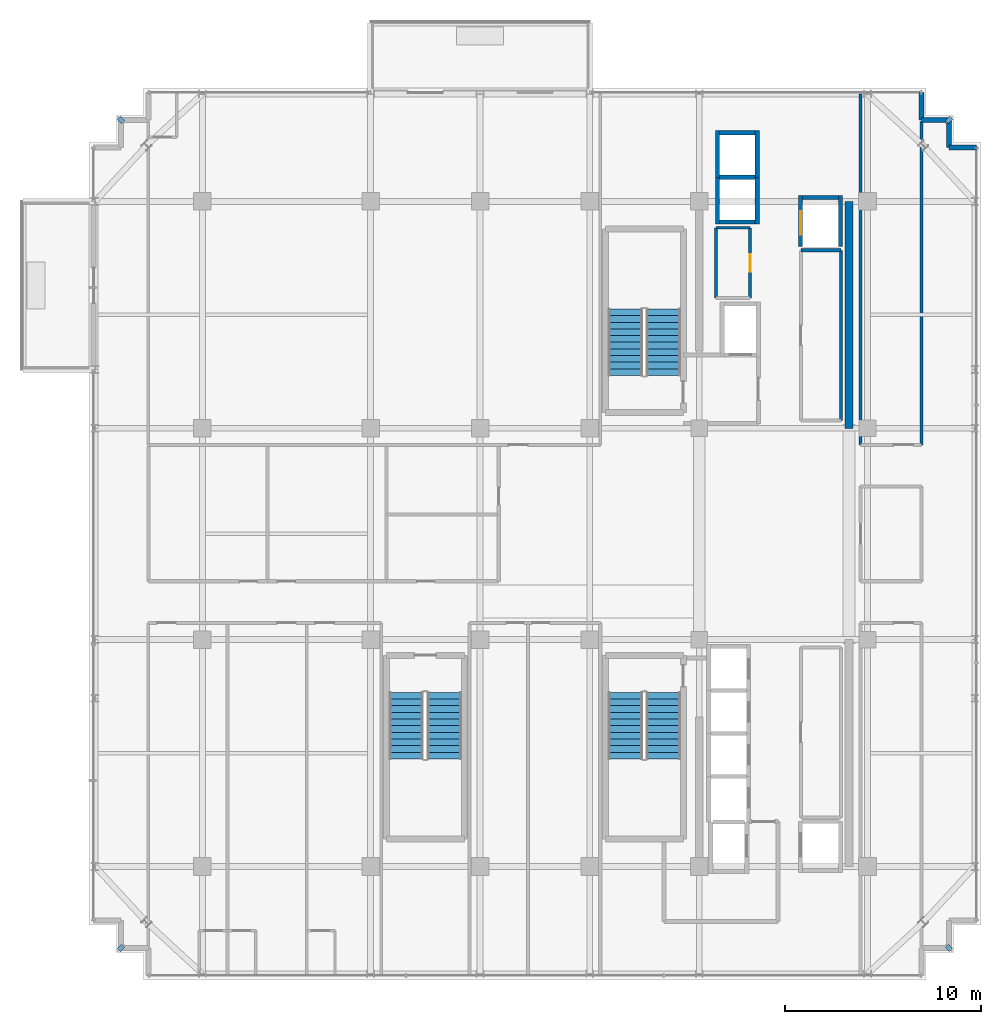
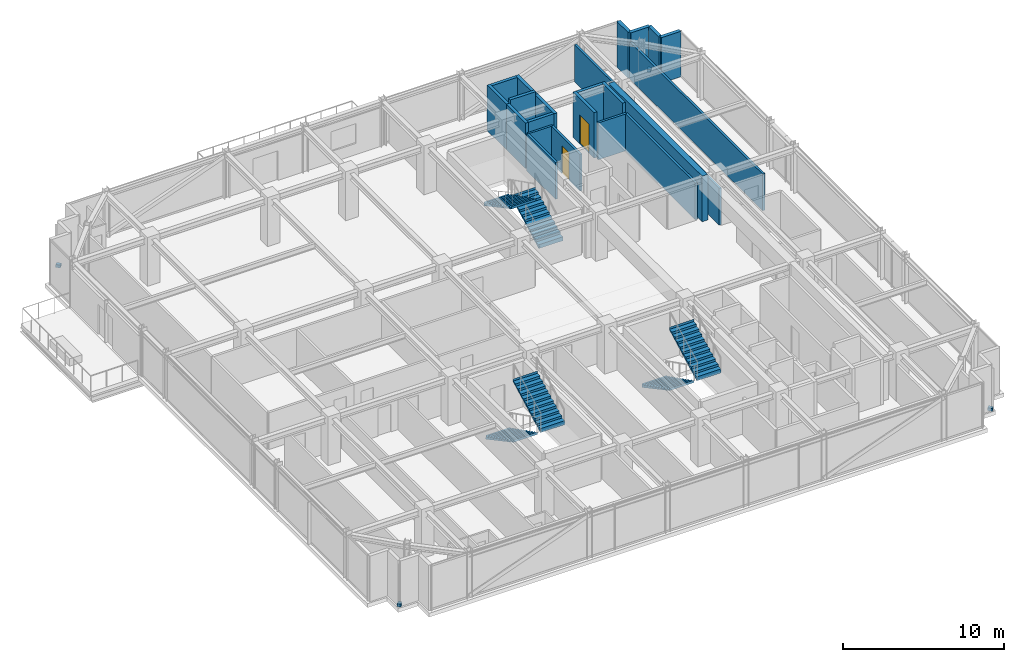
# One storey, part 33 of 36: 22 walls, 6 stair flights, 4 discrete accessories, 2 doors, 2 openings, 3 elements without a shape of their own.
"""IFC4 building model written with IfcOpenShell, lengths in metres."""

from ifc_helpers import new_model, si_unit, direction, frame, frame_2d, origin, origin_2d, place, context, subcontext, project, spatial, polyline, rectangle, outline, extrude, source, transform, mapped, material, layer, layer_set, type_object, element, fill, aggregate, save


model = new_model("IFC4")

# Units and contexts
model_context = context("Model", 3, precision=1e-05, world=origin(), true_north=direction((0.0, 1.0)))
body_context = subcontext(model_context, "Body", "Model", "MODEL_VIEW")
ifc_project = project(units=[si_unit("LENGTHUNIT", "METRE"), si_unit("AREAUNIT", "SQUARE_METRE"), si_unit("VOLUMEUNIT", "CUBIC_METRE"), si_unit("PLANEANGLEUNIT", "RADIAN"), si_unit("MASSUNIT", "GRAM", prefix="KILO")], contexts=[model_context])

# Site, building, storey
site_placement = place(None, origin())
site = spatial("IfcSite", under=ifc_project, at=site_placement, CompositionType="ELEMENT")
building_placement = place(site_placement, origin())
building = spatial("IfcBuilding", under=site, at=building_placement, Name="Nahalor Promenade Grand Hotel", CompositionType="ELEMENT")
storey_placement = place(building_placement, frame((0.0, 0.0, 273.800048828125)))
storey = spatial("IfcBuildingStorey", under=building, at=storey_placement, Name="L70", CompositionType="ELEMENT", Elevation=273.800048828125)

# Walls
ifc_material_1 = material(Name="Concrete B-50 (C40/50)", Category="concrete")
ifc_layer_1 = layer(ifc_material_1, 0.39990234375)
ifc_layer_set_1 = layer_set([ifc_layer_1], Name="Concrete B-50 (C40/50)")
wall_type_1 = type_object("IfcWallType", Name="Wall-CoreShear-400", PredefinedType="SHEAR", material=ifc_layer_set_1)
shared_shape_1 = source(origin(), body_context, "Body", "SweptSolid", [
    extrude(rectangle(XDim=11.60009765625, YDim=0.39990234375, at=frame_2d((5.800048828125, 0.0))), origin(), (0.0, 0.0, 1.0), 3.449951171875),
])
wall_1_placement = place(storey_placement, frame((16.050048828125, 5.39990234375, 0.0), z_axis=(0.0, 0.0, 1.0), x_axis=(0.0, 1.0, 0.0)))
element("IfcWall", 1, at=wall_1_placement, inside=storey, type_object=wall_type_1, Name="CWALL-L70-NE", PredefinedType="SHEAR", context=body_context, shape_type="MappedRepresentation", body=[
    mapped(shared_shape_1, transform((0.0, 0.0, 0.0), scale=1.0)),
])
ifc_layer_2 = layer(ifc_material_1, 0.219970703125)
ifc_layer_set_2 = layer_set([ifc_layer_2], Name="Concrete B-50 (C40/50)")
wall_type_2 = type_object("IfcWallType", Name="Wall-LiftShaft-220", PredefinedType="SHEAR", material=ifc_layer_set_2)
shared_shape_2 = source(origin(), body_context, "Body", "SweptSolid", [
    extrude(rectangle(XDim=1.820068359375, YDim=0.219970703125, at=frame_2d((0.91015625, 0.0))), origin(), (0.0, 0.0, 1.0), 3.449951171875),
])
for number, where, z_axis, x_axis, name in (
    (2, (9.43994140625, 15.949951171875, 0.0), (0.0, 0.0, 1.0), (1.0, 0.0, 0.0), "L70 Lift OB1 Hoistway Wall S"),
    (3, (9.43994140625, 20.5, 0.0), (0.0, 0.0, 1.0), (1.0, 0.0, 0.0), "L70 Lift OB2 Hoistway Wall N"),
    (4, (13.68994140625, 17.199951171875, 0.0), (0.0, 0.0, 1.0), (1.0, 0.0, 0.0), "L70 Lift SV1 Hoistway Wall N"),
):
    element("IfcWall", number, at=place(storey_placement, frame(where, z_axis=z_axis, x_axis=x_axis)), inside=storey, type_object=wall_type_2, Name=name, PredefinedType="SHEAR", context=body_context, shape_type="MappedRepresentation", body=[
        mapped(shared_shape_2, transform((0.0, 0.0, 0.0), scale=1.0)),
    ])
shared_shape_3 = source(origin(), body_context, "Body", "SweptSolid", [
    extrude(rectangle(XDim=1.820068359375, YDim=0.219970703125, at=frame_2d((0.91015625, 0.0))), origin(), (0.0, 0.0, 1.0), 3.75),
])
wall_2_placement = place(storey_placement, frame((9.43994140625, 18.22509765625, 0.0), z_axis=(0.0, 0.0, 1.0), x_axis=(1.0, 0.0, 0.0)))
element("IfcWall", 5, at=wall_2_placement, inside=storey, type_object=wall_type_2, Name="L70 Lift OB1 Hoistway Wall N", PredefinedType="SHEAR", context=body_context, shape_type="MappedRepresentation", body=[
    mapped(shared_shape_3, transform((0.0, 0.0, 0.0), scale=1.0)),
])
shared_shape_4 = source(origin(), body_context, "Body", "SweptSolid", [
    extrude(rectangle(XDim=2.385009765625, YDim=0.219970703125, at=frame_2d((1.1923828125, 0.0))), origin(), (0.0, 0.0, 1.0), 3.449951171875),
])
for number, where, z_axis, x_axis, name in (
    (6, (9.330078125, 15.840087890625, 0.0), (0.0, 0.0, 1.0), (0.0, 1.0, 0.0), "L70 Lift OB1 Hoistway Wall W"),
    (7, (11.3701171875, 15.840087890625, 0.0), (0.0, 0.0, 1.0), (0.0, 1.0, 0.0), "L70 Lift OB1 Hoistway Wall E"),
    (8, (9.330078125, 18.22509765625, 0.0), (0.0, 0.0, 1.0), (0.0, 1.0, 0.0), "L70 Lift OB2 Hoistway Wall W"),
    (9, (11.3701171875, 18.22509765625, 0.0), (0.0, 0.0, 1.0), (0.0, 1.0, 0.0), "L70 Lift OB2 Hoistway Wall E"),
):
    element("IfcWall", number, at=place(storey_placement, frame(where, z_axis=z_axis, x_axis=x_axis)), inside=storey, type_object=wall_type_2, Name=name, PredefinedType="SHEAR", context=body_context, shape_type="MappedRepresentation", body=[
        mapped(shared_shape_4, transform((0.0, 0.0, 0.0), scale=1.0)),
    ])

# Wall, opening, door
shared_shape_5 = source(origin(), body_context, "Body", "SweptSolid", [
    extrude(rectangle(XDim=2.610107421875, YDim=0.219970703125, at=frame_2d((1.30517578125, 0.0))), origin(), (0.0, 0.0, 1.0), 3.449951171875),
])
wall_3_placement = place(storey_placement, frame((13.580078125, 14.699951171875, 0.0), z_axis=(0.0, 0.0, 1.0), x_axis=(0.0, 1.0, 0.0)))
wall_3 = element("IfcWall", 10, at=wall_3_placement, inside=storey, type_object=wall_type_2, Name="L70 Lift SV1 Hoistway Wall W", PredefinedType="SHEAR", context=body_context, shape_type="MappedRepresentation", body=[
    mapped(shared_shape_5, transform((0.0, 0.0, 0.0), scale=1.0)),
])
opening_1_placement = place(wall_3_placement, frame((0.60009765625, 0.0, 0.0)))
opening_1 = element("IfcOpeningElement", 11, at=opening_1_placement, cuts=wall_3, Name="Opening LD-03", PredefinedType="OPENING", context=body_context, shape_type="SweptSolid", body=[
    extrude(rectangle(XDim=1.199951171875, YDim=2.199951171875, at=frame_2d((0.60009765625, 1.10009765625))), frame((0.0, 0.119873046875, 0.0), z_axis=(0.0, -1.0, 0.0), x_axis=(1.0, 0.0, 0.0)), (0.0, 0.0, 1.0), 0.239990234375),
])
ifc_material_2 = material(Name="Steel S355JR", Category="steel")
door_type_1 = type_object("IfcDoorType", Name="Door-LiftService-1200", OperationType="DOUBLE_DOOR_SLIDING", PredefinedType="DOOR", material=ifc_material_2)
shared_shape_6 = source(origin(), body_context, "Body", "SweptSolid", [
    extrude(rectangle(XDim=1.199951171875, YDim=2.199951171875, at=frame_2d((0.60009765625, 1.10009765625))), frame((0.0, 0.02490234375, 0.0), z_axis=(0.0, -1.0, 0.0), x_axis=(1.0, 0.0, 0.0)), (0.0, 0.0, 1.0), 0.050048828125),
])
door_1_placement = place(opening_1_placement, origin())
door_1 = element("IfcDoor", 12, at=door_1_placement, inside=storey, type_object=door_type_1, Name="DR-LIFT-SV1-L70", OperationType="DOUBLE_DOOR_SLIDING", OverallHeight=2.199951171875, OverallWidth=1.199951171875, PredefinedType="DOOR", context=body_context, shape_type="MappedRepresentation", body=[
    mapped(shared_shape_6, transform((0.0, 0.0, 0.0), scale=1.0)),
])
fill(opening_1, door_1)

# Walls
wall_4_placement = place(storey_placement, frame((15.6201171875, 14.699951171875, 0.0), z_axis=(0.0, 0.0, 1.0), x_axis=(0.0, 1.0, 0.0)))
element("IfcWall", 13, at=wall_4_placement, inside=storey, type_object=wall_type_2, Name="L70 Lift SV1 Hoistway Wall E", PredefinedType="SHEAR", context=body_context, shape_type="MappedRepresentation", body=[
    mapped(shared_shape_5, transform((0.0, 0.0, 0.0), scale=1.0)),
])
ifc_material_3 = material(Name="Concrete B-40 (C32/40)", Category="concrete")
ifc_layer_3 = layer(ifc_material_3, 0.25)
ifc_layer_set_3 = layer_set([ifc_layer_3], Name="Concrete B-40 (C32/40)")
wall_type_3 = type_object("IfcWallType", Name="Wall-BronzePier-250", PredefinedType="STANDARD", material=ifc_layer_set_3)
shared_shape_7 = source(origin(), body_context, "Body", "SweptSolid", [
    extrude(rectangle(XDim=1.400146484375, YDim=0.25, at=frame_2d((0.7001953125, 0.0))), origin(), (0.0, 0.0, 1.0), 3.449951171875),
])
for number, where, z_axis, x_axis, name in (
    (14, (21.159912109375, 19.760009765625, 0.0), (0.0, 0.0, 1.0), (1.0, 0.0, 0.0), "W-L70-SR-05"),
    (15, (19.760009765625, 21.159912109375, 0.0), (0.0, 0.0, 1.0), (0.0, 1.0, 0.0), "W-L70-SR-08"),
):
    element("IfcWall", number, at=place(storey_placement, frame(where, z_axis=z_axis, x_axis=x_axis)), inside=storey, type_object=wall_type_3, Name=name, PredefinedType="STANDARD", context=body_context, shape_type="MappedRepresentation", body=[
        mapped(shared_shape_7, transform((0.0, 0.0, 0.0), scale=1.0)),
    ])
shared_shape_8 = source(origin(), body_context, "Body", "SweptSolid", [
    extrude(rectangle(XDim=1.39990234375, YDim=0.25, at=frame_2d((0.699951171875, 0.0))), origin(), (0.0, 0.0, 1.0), 3.449951171875),
])
for number, where, z_axis, x_axis, name in (
    (16, (21.159912109375, 19.760009765625, 0.0), (0.0, 0.0, 1.0), (0.0, 1.0, 0.0), "W-L70-SR-06"),
    (17, (19.760009765625, 21.159912109375, 0.0), (0.0, 0.0, 1.0), (1.0, 0.0, 0.0), "W-L70-SR-07"),
):
    element("IfcWall", number, at=place(storey_placement, frame(where, z_axis=z_axis, x_axis=x_axis)), inside=storey, type_object=wall_type_3, Name=name, PredefinedType="STANDARD", context=body_context, shape_type="MappedRepresentation", body=[
        mapped(shared_shape_8, transform((0.0, 0.0, 0.0), scale=1.0)),
    ])
ifc_material_4 = material(Name="Acoustic Mineral Gypsum", Category="gypsum")
ifc_layer_4 = layer(ifc_material_4, 0.14990234375)
ifc_layer_set_4 = layer_set([ifc_layer_4], Name="Acoustic Mineral Gypsum")
wall_type_4 = type_object("IfcWallType", Name="Wall-PartService-150", PredefinedType="PARTITIONING", material=ifc_layer_set_4)
shared_shape_9 = source(origin(), body_context, "Body", "SweptSolid", [
    extrude(rectangle(XDim=1.75, YDim=0.14990234375, at=frame_2d((0.875, 0.0))), origin(), (0.0, 0.0, 1.0), 2.7900390625),
])
wall_5_placement = place(storey_placement, frame((9.25, 15.64990234375, 0.0), z_axis=(0.0, 0.0, 1.0), x_axis=(1.0, 0.0, 0.0)))
element("IfcWall", 18, at=wall_5_placement, inside=storey, type_object=wall_type_4, Name="W-L70-CK1A-N", PredefinedType="PARTITIONING", context=body_context, shape_type="MappedRepresentation", body=[
    mapped(shared_shape_9, transform((0.0, 0.0, 0.0), scale=1.0)),
])
ifc_layer_5 = layer(ifc_material_4, 0.159912109375)
ifc_layer_set_5 = layer_set([ifc_layer_5], Name="Acoustic Mineral Gypsum")
wall_type_5 = type_object("IfcWallType", Name="Wall-PartCorridor-160", PredefinedType="PARTITIONING", material=ifc_layer_set_5)
shared_shape_10 = source(origin(), body_context, "Body", "SweptSolid", [
    extrude(rectangle(XDim=2.0498046875, YDim=0.159912109375, at=frame_2d((1.02490234375, 0.0))), origin(), (0.0, 0.0, 1.0), 2.7900390625),
])
wall_6_placement = place(storey_placement, frame((13.60009765625, 14.5, 0.0), z_axis=(0.0, 0.0, 1.0), x_axis=(1.0, 0.0, 0.0)))
element("IfcWall", 19, at=wall_6_placement, inside=storey, type_object=wall_type_5, Name="W-L70-FRB1-N", PredefinedType="PARTITIONING", context=body_context, shape_type="MappedRepresentation", body=[
    mapped(shared_shape_10, transform((0.0, 0.0, 0.0), scale=1.0)),
])
shared_shape_11 = source(origin(), body_context, "Body", "SweptSolid", [
    extrude(rectangle(XDim=17.949951171875, YDim=0.159912109375, at=frame_2d((8.97509765625, 0.0))), origin(), (0.0, 0.0, 1.0), 2.7900390625),
])
wall_7_placement = place(storey_placement, frame((16.64990234375, 4.550048828125, 0.0), z_axis=(0.0, 0.0, 1.0), x_axis=(0.0, 1.0, 0.0)))
element("IfcWall", 20, at=wall_7_placement, inside=storey, type_object=wall_type_5, Name="W-L70-ENE-W", PredefinedType="PARTITIONING", context=body_context, shape_type="MappedRepresentation", body=[
    mapped(shared_shape_11, transform((0.0, 0.0, 0.0), scale=1.0)),
])
shared_shape_12 = source(origin(), body_context, "Body", "SweptSolid", [
    extrude(rectangle(XDim=16.530029296875, YDim=0.159912109375, at=frame_2d((8.26513671875, 0.0))), origin(), (0.0, 0.0, 1.0), 2.7900390625),
])
wall_8_placement = place(storey_placement, frame((19.760009765625, 4.550048828125, 0.0), z_axis=(0.0, 0.0, 1.0), x_axis=(0.0, 1.0, 0.0)))
element("IfcWall", 21, at=wall_8_placement, inside=storey, type_object=wall_type_5, Name="W-L70-ENE-E", PredefinedType="PARTITIONING", context=body_context, shape_type="MappedRepresentation", body=[
    mapped(shared_shape_12, transform((0.0, 0.0, 0.0), scale=1.0)),
])
shared_shape_13 = source(origin(), body_context, "Body", "SweptSolid", [
    extrude(rectangle(XDim=3.599853515625, YDim=0.14990234375, at=frame_2d((1.7998046875, 0.0))), origin(), (0.0, 0.0, 1.0), 2.7900390625),
])
wall_9_placement = place(storey_placement, frame((9.25, 12.050048828125, 0.0), z_axis=(0.0, 0.0, 1.0), x_axis=(0.0, 1.0, 0.0)))
element("IfcWall", 22, at=wall_9_placement, inside=storey, type_object=wall_type_4, Name="W-L70-CK1A-W", PredefinedType="PARTITIONING", context=body_context, shape_type="MappedRepresentation", body=[
    mapped(shared_shape_13, transform((0.0, 0.0, 0.0), scale=1.0)),
])

# Wall, opening, door
wall_10_placement = place(storey_placement, frame((11.0, 12.050048828125, 0.0), z_axis=(0.0, 0.0, 1.0), x_axis=(0.0, 1.0, 0.0)))
wall_10 = element("IfcWall", 23, at=wall_10_placement, inside=storey, type_object=wall_type_4, Name="W-L70-CK1A-E", PredefinedType="PARTITIONING", context=body_context, shape_type="MappedRepresentation", body=[
    mapped(shared_shape_13, transform((0.0, 0.0, 0.0), scale=1.0)),
])
opening_2_placement = place(wall_10_placement, frame((1.360107421875, 0.0, 0.0)))
opening_2 = element("IfcOpeningElement", 24, at=opening_2_placement, cuts=wall_10, Name="Opening D-03", PredefinedType="OPENING", context=body_context, shape_type="SweptSolid", body=[
    extrude(rectangle(XDim=0.8798828125, YDim=2.10009765625, at=frame_2d((0.43994140625, 1.050048828125))), frame((0.0, 0.0849609375, 0.0), z_axis=(0.0, -1.0, 0.0), x_axis=(1.0, 0.0, 0.0)), (0.0, 0.0, 1.0), 0.169921875),
])
ifc_material_5 = material(Name="Fire-Rated Timber Composite", Category="wood")
door_type_2 = type_object("IfcDoorType", Name="Door-BathSwing-880", OperationType="NOTDEFINED", PredefinedType="DOOR", material=ifc_material_5)
shared_shape_14 = source(origin(), body_context, "Body", "SweptSolid", [
    extrude(rectangle(XDim=0.8798828125, YDim=2.10009765625, at=frame_2d((0.43994140625, 1.050048828125))), frame((0.0, 0.02490234375, 0.0), z_axis=(0.0, -1.0, 0.0), x_axis=(1.0, 0.0, 0.0)), (0.0, 0.0, 1.0), 0.050048828125),
])
door_2_placement = place(opening_2_placement, origin())
door_2 = element("IfcDoor", 25, at=door_2_placement, inside=storey, type_object=door_type_2, Name="DR-L70-CK1A", OperationType="SINGLE_SWING_LEFT", OverallHeight=2.10009765625, OverallWidth=0.8798828125, PredefinedType="DOOR", context=body_context, shape_type="MappedRepresentation", body=[
    mapped(shared_shape_14, transform((0.0, 0.0, 0.0), scale=1.0)),
])
fill(opening_2, door_2)

# Wall
shared_shape_15 = source(origin(), body_context, "Body", "SweptSolid", [
    extrude(rectangle(XDim=8.699951171875, YDim=0.159912109375, at=frame_2d((4.35009765625, 0.0))), origin(), (0.0, 0.0, 1.0), 2.7900390625),
])
wall_11_placement = place(storey_placement, frame((15.64990234375, 5.800048828125, 0.0), z_axis=(0.0, 0.0, 1.0), x_axis=(0.0, 1.0, 0.0)))
element("IfcWall", 26, at=wall_11_placement, inside=storey, type_object=wall_type_5, Name="W-L70-FRB1-E", PredefinedType="PARTITIONING", context=body_context, shape_type="MappedRepresentation", body=[
    mapped(shared_shape_15, transform((0.0, 0.0, 0.0), scale=1.0)),
])

# Stair, stair flights
stair_type_1 = type_object("IfcStairType", Name="Stair-ST1", PredefinedType="HALF_TURN_STAIR", material=ifc_material_1)
stair_1_placement = place(storey_placement, origin())
stair_1 = element("IfcStair", 27, at=stair_1_placement, inside=storey, type_object=stair_type_1, Name="L70 ST1", PredefinedType="HALF_TURN_STAIR")
ifc_layer_6 = layer(ifc_material_1, 0.179931640625)
ifc_layer_set_6 = layer_set([ifc_layer_6], Name="Concrete B-50 (C40/50)")
stair_flight_type_1 = type_object("IfcStairFlightType", Name="Flight-ST1", PredefinedType="STRAIGHT", material=ifc_layer_set_6)
shared_shape_16 = source(origin(), body_context, "Body", "SweptSolid", [
    extrude(outline(polyline([(-0.00390625, -0.1201171875), (-0.00390625, 0.0), (0.0, 0.0), (0.0, 0.17041015625), (0.340087890625, 0.17041015625), (0.340087890625, 0.3408203125), (0.679931640625, 0.3408203125), (0.679931640625, 0.511474609375), (1.02001953125, 0.511474609375), (1.02001953125, 0.681884765625), (1.360107421875, 0.681884765625), (1.360107421875, 0.852294921875), (1.699951171875, 0.852294921875), (1.699951171875, 1.022705078125), (2.0400390625, 1.022705078125), (2.0400390625, 1.193115234375), (2.3798828125, 1.193115234375), (2.3798828125, 1.363525390625), (2.719970703125, 1.363525390625), (2.719970703125, 1.5341796875), (3.06005859375, 1.5341796875), (3.06005859375, 1.70458984375), (3.39990234375, 1.70458984375), (3.39990234375, 1.875), (3.404052734375, 1.875), (3.404052734375, 1.695068359375), (0.02001953125, -0.1201171875), (-0.00390625, -0.1201171875)])), frame((0.0, 0.875, 0.0), z_axis=(0.0, -1.0, 0.0), x_axis=(1.0, 0.0, 0.0)), (0.0, 0.0, 1.0), 1.75),
])
stair_flight_1_placement = place(storey_placement, frame((6.574951171875, 8.10009765625, 0.0), z_axis=(0.0, 0.0, 1.0), x_axis=(0.0, 1.0, 0.0)))
stair_flight_1 = element("IfcStairFlight", 28, at=stair_flight_1_placement, type_object=stair_flight_type_1, Name="ST1 flight 1", NumberOfRisers=11, NumberOfTreads=10, PredefinedType="STRAIGHT", RiserHeight=0.170454545, TreadLength=0.34, context=body_context, shape_type="MappedRepresentation", body=[
    mapped(shared_shape_16, transform((0.0, 0.0, 0.0), scale=1.0)),
])
stair_flight_2_placement = place(storey_placement, frame((4.625, 11.5, 1.875), z_axis=(0.0, 0.0, 1.0), x_axis=(0.0, -1.0, 0.0)))
stair_flight_2 = element("IfcStairFlight", 29, at=stair_flight_2_placement, type_object=stair_flight_type_1, Name="ST1 flight 2", NumberOfRisers=11, NumberOfTreads=10, PredefinedType="STRAIGHT", RiserHeight=0.170454545, TreadLength=0.34, context=body_context, shape_type="MappedRepresentation", body=[
    mapped(shared_shape_16, transform((0.0, 0.0, 0.0), scale=1.0)),
])
aggregate(stair_1, [stair_flight_1, stair_flight_2])

stair_type_2 = type_object("IfcStairType", Name="Stair-ST2", PredefinedType="HALF_TURN_STAIR", material=ifc_material_1)
stair_2_placement = place(storey_placement, origin())
stair_2 = element("IfcStair", 30, at=stair_2_placement, inside=storey, type_object=stair_type_2, Name="L70 ST2", PredefinedType="HALF_TURN_STAIR")
ifc_layer_7 = layer(ifc_material_1, 0.18994140625)
ifc_layer_set_7 = layer_set([ifc_layer_7], Name="Concrete B-50 (C40/50)")
stair_flight_type_2 = type_object("IfcStairFlightType", Name="Flight-ST2", PredefinedType="STRAIGHT", material=ifc_layer_set_7)
shared_shape_17 = source(origin(), body_context, "Body", "SweptSolid", [
    extrude(outline(polyline([(-0.00390625, -0.1201171875), (-0.00390625, 0.0), (0.0, 0.0), (0.0, 0.17041015625), (0.340087890625, 0.17041015625), (0.340087890625, 0.3408203125), (0.679931640625, 0.3408203125), (0.679931640625, 0.511474609375), (1.02001953125, 0.511474609375), (1.02001953125, 0.681884765625), (1.360107421875, 0.681884765625), (1.360107421875, 0.852294921875), (1.699951171875, 0.852294921875), (1.699951171875, 1.022705078125), (2.0400390625, 1.022705078125), (2.0400390625, 1.193115234375), (2.3798828125, 1.193115234375), (2.3798828125, 1.363525390625), (2.719970703125, 1.363525390625), (2.719970703125, 1.5341796875), (3.06005859375, 1.5341796875), (3.06005859375, 1.70458984375), (3.39990234375, 1.70458984375), (3.39990234375, 1.875), (3.404052734375, 1.875), (3.404052734375, 1.695068359375), (0.02001953125, -0.1201171875), (-0.00390625, -0.1201171875)])), frame((0.0, 0.875, 0.0), z_axis=(0.0, -1.0, 0.0), x_axis=(1.0, 0.0, 0.0)), (0.0, 0.0, 1.0), 1.75),
])
stair_flight_3_placement = place(storey_placement, frame((4.625, -8.10009765625, 0.0), z_axis=(0.0, 0.0, 1.0), x_axis=(0.0, -1.0, 0.0)))
stair_flight_3 = element("IfcStairFlight", 31, at=stair_flight_3_placement, type_object=stair_flight_type_2, Name="ST2 flight 1", NumberOfRisers=11, NumberOfTreads=10, PredefinedType="STRAIGHT", RiserHeight=0.170454545, TreadLength=0.34, context=body_context, shape_type="MappedRepresentation", body=[
    mapped(shared_shape_17, transform((0.0, 0.0, 0.0), scale=1.0)),
])
stair_flight_4_placement = place(storey_placement, frame((6.574951171875, -11.5, 1.875), z_axis=(0.0, 0.0, 1.0), x_axis=(0.0, 1.0, 0.0)))
stair_flight_4 = element("IfcStairFlight", 32, at=stair_flight_4_placement, type_object=stair_flight_type_2, Name="ST2 flight 2", NumberOfRisers=11, NumberOfTreads=10, PredefinedType="STRAIGHT", RiserHeight=0.170454545, TreadLength=0.34, context=body_context, shape_type="MappedRepresentation", body=[
    mapped(shared_shape_17, transform((0.0, 0.0, 0.0), scale=1.0)),
])
aggregate(stair_2, [stair_flight_3, stair_flight_4])

stair_type_3 = type_object("IfcStairType", Name="Stair-ST3", PredefinedType="HALF_TURN_STAIR", material=ifc_material_1)
stair_3_placement = place(storey_placement, origin())
stair_3 = element("IfcStair", 33, at=stair_3_placement, inside=storey, type_object=stair_type_3, Name="L70 ST3", PredefinedType="HALF_TURN_STAIR")
ifc_layer_8 = layer(ifc_material_1, 0.199951171875)
ifc_layer_set_8 = layer_set([ifc_layer_8], Name="Concrete B-50 (C40/50)")
stair_flight_type_3 = type_object("IfcStairFlightType", Name="Flight-ST3", PredefinedType="STRAIGHT", material=ifc_layer_set_8)
shared_shape_18 = source(origin(), body_context, "Body", "SweptSolid", [
    extrude(outline(polyline([(-0.00390625, -0.1201171875), (-0.00390625, 0.0), (0.0, 0.0), (0.0, 0.17041015625), (0.340087890625, 0.17041015625), (0.340087890625, 0.3408203125), (0.679931640625, 0.3408203125), (0.679931640625, 0.511474609375), (1.02001953125, 0.511474609375), (1.02001953125, 0.681884765625), (1.360107421875, 0.681884765625), (1.360107421875, 0.852294921875), (1.699951171875, 0.852294921875), (1.699951171875, 1.022705078125), (2.0400390625, 1.022705078125), (2.0400390625, 1.193115234375), (2.3798828125, 1.193115234375), (2.3798828125, 1.363525390625), (2.719970703125, 1.363525390625), (2.719970703125, 1.5341796875), (3.06005859375, 1.5341796875), (3.06005859375, 1.70458984375), (3.39990234375, 1.70458984375), (3.39990234375, 1.875), (3.404052734375, 1.875), (3.404052734375, 1.695068359375), (0.02001953125, -0.1201171875), (-0.00390625, -0.1201171875)])), frame((0.0, 0.875, 0.0), z_axis=(0.0, -1.0, 0.0), x_axis=(1.0, 0.0, 0.0)), (0.0, 0.0, 1.0), 1.75),
])
stair_flight_5_placement = place(storey_placement, frame((-6.574951171875, -8.10009765625, 0.0), z_axis=(0.0, 0.0, 1.0), x_axis=(0.0, -1.0, 0.0)))
stair_flight_5 = element("IfcStairFlight", 34, at=stair_flight_5_placement, type_object=stair_flight_type_3, Name="ST3 flight 1", NumberOfRisers=11, NumberOfTreads=10, PredefinedType="STRAIGHT", RiserHeight=0.170454545, TreadLength=0.34, context=body_context, shape_type="MappedRepresentation", body=[
    mapped(shared_shape_18, transform((0.0, 0.0, 0.0), scale=1.0)),
])
stair_flight_6_placement = place(storey_placement, frame((-4.625, -11.5, 1.875), z_axis=(0.0, 0.0, 1.0), x_axis=(0.0, 1.0, 0.0)))
stair_flight_6 = element("IfcStairFlight", 35, at=stair_flight_6_placement, type_object=stair_flight_type_3, Name="ST3 flight 2", NumberOfRisers=11, NumberOfTreads=10, PredefinedType="STRAIGHT", RiserHeight=0.170454545, TreadLength=0.34, context=body_context, shape_type="MappedRepresentation", body=[
    mapped(shared_shape_18, transform((0.0, 0.0, 0.0), scale=1.0)),
])
aggregate(stair_3, [stair_flight_5, stair_flight_6])

# Discrete accessories
discrete_accessory_type = type_object("IfcDiscreteAccessoryType", Name="Bracket-FacadeCleat-Bronze", PredefinedType="BRACKET", material=ifc_material_2)
shared_shape_19 = source(origin(), body_context, "Body", "SweptSolid", [
    extrude(rectangle(XDim=0.300048828125, YDim=0.239990234375, at=origin_2d()), origin(), (0.0, 0.0, 1.0), 0.219970703125),
])
for number, where, z_axis, x_axis, name in (
    (36, (-21.159912109375, -21.159912109375, 0.0), (0.0, 0.0, 1.0), (0.707106781187, 0.707106781187, 0.0), "BK-L70-SW"),
    (37, (21.159912109375, -21.159912109375, 0.0), (0.0, 0.0, 1.0), (-0.707106781187, 0.707106781187, 0.0), "BK-L70-SE"),
    (38, (21.159912109375, 21.159912109375, 0.0), (0.0, 0.0, 1.0), (0.707106781187, 0.707106781187, 0.0), "BK-L70-NE"),
    (39, (-21.159912109375, 21.159912109375, 0.0), (0.0, 0.0, 1.0), (-0.707106781187, 0.707106781187, 0.0), "BK-L70-NW"),
):
    element("IfcDiscreteAccessory", number, at=place(storey_placement, frame(where, z_axis=z_axis, x_axis=x_axis)), inside=storey, type_object=discrete_accessory_type, Name=name, PredefinedType="BRACKET", context=body_context, shape_type="MappedRepresentation", body=[
        mapped(shared_shape_19, transform((0.0, 0.0, 0.0), scale=1.0)),
    ])

save(model, "model.ifc")
